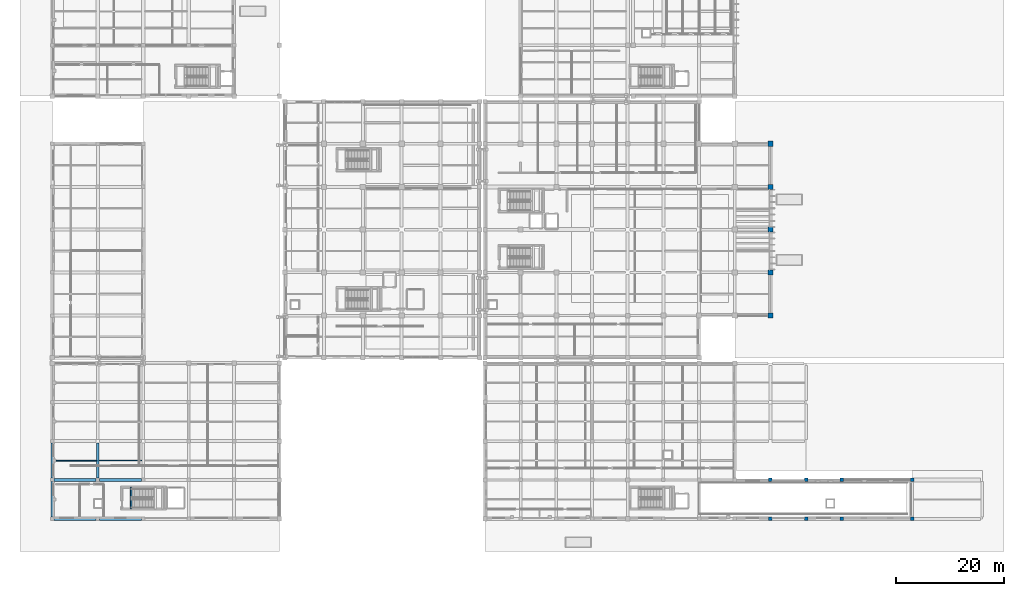
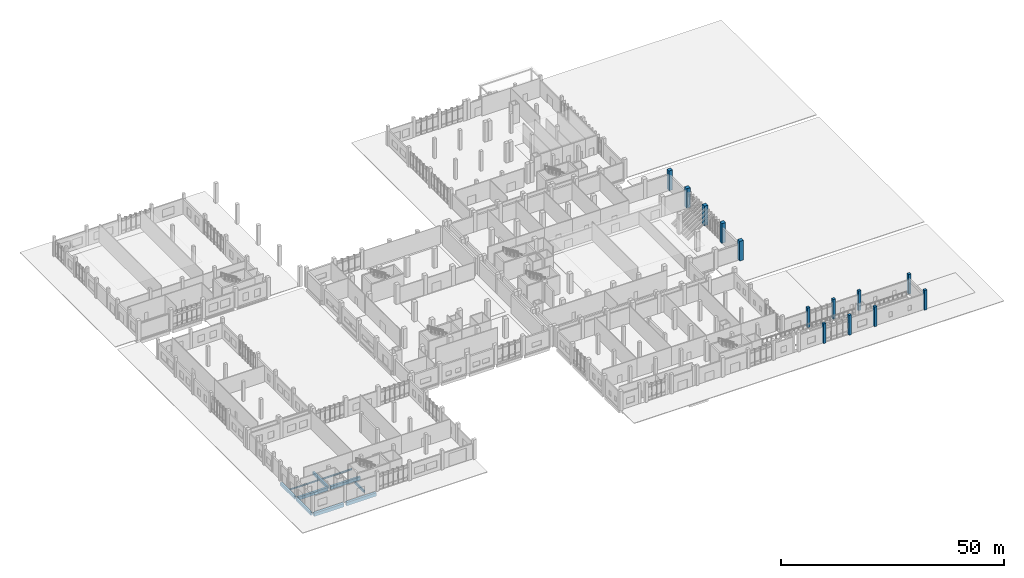
# One storey, part 3 of 79: 13 columns, 10 beams.
"""IFC4 building model written with IfcOpenShell, lengths in metres."""

from ifc_helpers import new_model, si_unit, direction, frame, origin, origin_2d, place, context, subcontext, project, spatial, rectangle, i_section, extrude, material, material_profile, profile_set, type_object, element, save


model = new_model("IFC4")

# Units and contexts
model_context = context("Model", 3, precision=1e-05, world=origin(), true_north=direction((0.0, 1.0)))
body_context = subcontext(model_context, "Body", "Model", "MODEL_VIEW")
ifc_project = project(units=[si_unit("LENGTHUNIT", "METRE"), si_unit("AREAUNIT", "SQUARE_METRE"), si_unit("VOLUMEUNIT", "CUBIC_METRE"), si_unit("PLANEANGLEUNIT", "RADIAN"), si_unit("MASSUNIT", "GRAM", prefix="KILO")], contexts=[model_context])

# Site, building, storey
site_placement = place(None, origin())
site = spatial("IfcSite", under=ifc_project, at=site_placement, CompositionType="ELEMENT")
building_placement = place(site_placement, origin())
building = spatial("IfcBuilding", under=site, at=building_placement, Name="Kelarvand Opera House", CompositionType="ELEMENT")
storey_placement = place(building_placement, origin())
storey = spatial("IfcBuildingStorey", under=building, at=storey_placement, Name="L00", CompositionType="ELEMENT", Elevation=0.0)

# Columns
ifc_material_1 = material(Name="Concrete C40/50", Category="concrete")
ifc_material_profile_1 = material_profile(ifc_material_1, rectangle(XDim=0.64990234375, YDim=0.64990234375, at=origin_2d()), Name="RC 650x650", Category="concrete")
ifc_profile_set_1 = profile_set([ifc_material_profile_1], Name="Concrete C40/50")
column_type_1 = type_object("IfcColumnType", Name="Structural Column RC 650x650 (Ext) COL-650E", PredefinedType="COLUMN", material=ifc_profile_set_1)
for number, where, z_axis, x_axis, name in (
    (1, (141.800048828125, 9.0, 0.0), (0.0, 0.0, 1.0), (1.0, 0.0, 0.0), "V6 Column COL-650E at L00"),
    (2, (148.39990234375, 9.0, 0.0), (0.0, 0.0, 1.0), (1.0, 0.0, 0.0), "V6 Column COL-650E at L00"),
    (3, (155.0, 9.0, 0.0), (0.0, 0.0, 1.0), (1.0, 0.0, 0.0), "V6 Column COL-650E at L00"),
    (4, (168.0, 9.0, 0.0), (0.0, 0.0, 1.0), (1.0, 0.0, 0.0), "V6 Column COL-650E at L00"),
):
    element("IfcColumn", number, at=place(storey_placement, frame(where, z_axis=z_axis, x_axis=x_axis)), inside=storey, type_object=column_type_1, Name=name, PredefinedType="COLUMN", context=body_context, shape_type="SweptSolid", body=[
        extrude(rectangle(XDim=0.64990234375, YDim=0.64990234375, at=origin_2d()), origin(), (0.0, 0.0, 1.0), 5.39990234375),
    ])
ifc_material_profile_2 = material_profile(ifc_material_1, rectangle(XDim=0.64990234375, YDim=0.64990234375, at=origin_2d()), Name="RC 650x650", Category="concrete")
ifc_profile_set_2 = profile_set([ifc_material_profile_2], Name="Concrete C40/50")
column_type_2 = type_object("IfcColumnType", Name="Structural Column RC 650x650 (Int) COL-650", PredefinedType="COLUMN", material=ifc_profile_set_2)
for number, where, z_axis, x_axis, name in (
    (5, (141.800048828125, 16.199951171875, 0.0), (0.0, 0.0, 1.0), (1.0, 0.0, 0.0), "V6 Column COL-650 at L00"),
    (6, (148.39990234375, 16.199951171875, 0.0), (0.0, 0.0, 1.0), (1.0, 0.0, 0.0), "V6 Column COL-650 at L00"),
    (7, (155.0, 16.199951171875, 0.0), (0.0, 0.0, 1.0), (1.0, 0.0, 0.0), "V6 Column COL-650 at L00"),
    (8, (168.0, 16.199951171875, 0.0), (0.0, 0.0, 1.0), (1.0, 0.0, 0.0), "V6 Column COL-650 at L00"),
):
    element("IfcColumn", number, at=place(storey_placement, frame(where, z_axis=z_axis, x_axis=x_axis)), inside=storey, type_object=column_type_2, Name=name, PredefinedType="COLUMN", context=body_context, shape_type="SweptSolid", body=[
        extrude(rectangle(XDim=0.64990234375, YDim=0.64990234375, at=origin_2d()), origin(), (0.0, 0.0, 1.0), 5.39990234375),
    ])
ifc_material_profile_3 = material_profile(ifc_material_1, rectangle(XDim=0.949951171875, YDim=0.949951171875, at=origin_2d()), Name="RC 950x950", Category="concrete")
ifc_profile_set_3 = profile_set([ifc_material_profile_3], Name="Concrete C40/50")
column_type_3 = type_object("IfcColumnType", Name="Structural Column RC 950x950 (Int) COL-950", PredefinedType="COLUMN", material=ifc_profile_set_3)
for number, where, z_axis, x_axis, name in (
    (9, (141.800048828125, 46.60009765625, 0.0), (0.0, 0.0, 1.0), (1.0, 0.0, 0.0), "V1 Column COL-950 at L00"),
    (10, (141.800048828125, 54.60009765625, 0.0), (0.0, 0.0, 1.0), (1.0, 0.0, 0.0), "V1 Column COL-950 at L00"),
    (11, (141.800048828125, 62.5, 0.0), (0.0, 0.0, 1.0), (1.0, 0.0, 0.0), "V1 Column COL-950 at L00"),
    (12, (141.800048828125, 70.39990234375, 0.0), (0.0, 0.0, 1.0), (1.0, 0.0, 0.0), "V1 Column COL-950 at L00"),
    (13, (141.800048828125, 78.39990234375, 0.0), (0.0, 0.0, 1.0), (1.0, 0.0, 0.0), "V1 Column COL-950 at L00"),
):
    element("IfcColumn", number, at=place(storey_placement, frame(where, z_axis=z_axis, x_axis=x_axis)), inside=storey, type_object=column_type_3, Name=name, PredefinedType="COLUMN", context=body_context, shape_type="SweptSolid", body=[
        extrude(rectangle(XDim=0.949951171875, YDim=0.949951171875, at=origin_2d()), origin(), (0.0, 0.0, 1.0), 5.39990234375),
    ])

# Beams
ifc_material_2 = material(Name="Concrete C35/45", Category="concrete")
ifc_material_profile_4 = material_profile(ifc_material_2, rectangle(XDim=0.35009765625, YDim=0.60009765625, at=origin_2d()), Name="RC 350x600", Category="concrete")
ifc_profile_set_4 = profile_set([ifc_material_profile_4], Name="Concrete C35/45")
beam_type_1 = type_object("IfcBeamType", Name="Structural Beam RC 350x600 BM-RC350x600", PredefinedType="BEAM", material=ifc_profile_set_4)
beam_1_placement = place(storey_placement, frame((23.5400390625, 10.85009765625, -0.52001953125), z_axis=(0.0, 1.0, 0.0), x_axis=(-1.0, 0.0, 0.0)))
element("IfcBeam", 14, at=beam_1_placement, inside=storey, type_object=beam_type_1, Name="C6 Stair Landing Support Beam L00", PredefinedType="BEAM", context=body_context, shape_type="SweptSolid", body=[
    extrude(rectangle(XDim=0.35009765625, YDim=0.60009765625, at=origin_2d()), origin(), (0.0, 0.0, 1.0), 4.0),
])
ifc_material_profile_5 = material_profile(ifc_material_1, rectangle(XDim=0.5, YDim=0.75, at=origin_2d()), Name="RC 500x750", Category="concrete")
ifc_profile_set_5 = profile_set([ifc_material_profile_5], Name="Concrete C40/50")
beam_type_2 = type_object("IfcBeamType", Name="Structural Beam RC 500x750 BM-RC500x750", PredefinedType="BEAM", material=ifc_profile_set_5)
beam_2_placement = place(storey_placement, frame((17.39990234375, 16.52490234375, -0.675048828125), z_axis=(0.0, 1.0, 0.0), x_axis=(-1.0, 0.0, 0.0)))
element("IfcBeam", 15, at=beam_2_placement, inside=storey, type_object=beam_type_2, Name="V4 L00 Beam BM-RC500x750", PredefinedType="BEAM", context=body_context, shape_type="SweptSolid", body=[
    extrude(rectangle(XDim=0.5, YDim=0.75, at=origin_2d()), origin(), (0.0, 0.0, 1.0), 6.550048828125),
])
ifc_material_profile_6 = material_profile(ifc_material_1, rectangle(XDim=0.550048828125, YDim=0.85009765625, at=origin_2d()), Name="RC 550x850", Category="concrete")
ifc_profile_set_6 = profile_set([ifc_material_profile_6], Name="Concrete C40/50")
beam_type_3 = type_object("IfcBeamType", Name="Structural Beam RC 550x850 BM-RC550x850", PredefinedType="BEAM", material=ifc_profile_set_6)
for number, where, z_axis, x_axis, name in (
    (16, (9.324951171875, 16.199951171875, -0.72509765625), (1.0, 0.0, 0.0), (0.0, 1.0, 0.0), "V4 L00 Beam BM-RC550x850"),
    (17, (17.72509765625, 16.199951171875, -0.72509765625), (1.0, 0.0, 0.0), (0.0, 1.0, 0.0), "V4 L00 Beam BM-RC550x850"),
):
    element("IfcBeam", number, at=place(storey_placement, frame(where, z_axis=z_axis, x_axis=x_axis)), inside=storey, type_object=beam_type_3, Name=name, PredefinedType="BEAM", context=body_context, shape_type="SweptSolid", body=[
        extrude(rectangle(XDim=0.550048828125, YDim=0.85009765625, at=origin_2d()), origin(), (0.0, 0.0, 1.0), 7.75),
    ])
ifc_material_3 = material(Name="Steel S355", Category="steel")
ifc_material_profile_7 = material_profile(ifc_material_3, i_section(OverallWidth=0.179931640625, OverallDepth=0.39990234375, WebThickness=0.008544921875, FlangeThickness=0.013427734375, at=origin_2d()), Name="IPE 400", Category="steel")
ifc_profile_set_7 = profile_set([ifc_material_profile_7], Name="Steel S355")
beam_type_4 = type_object("IfcBeamType", Name="Structural Joist IPE 400 JS-IPE400", PredefinedType="JOIST", material=ifc_profile_set_7)
beam_3_placement = place(storey_placement, frame((9.25, 19.800048828125, -0.5), z_axis=(1.0, 0.0, 0.0), x_axis=(0.0, 1.0, 0.0)))
element("IfcBeam", 18, at=beam_3_placement, inside=storey, type_object=beam_type_4, Name="V4 L00 Beam JS-IPE400", PredefinedType="JOIST", context=body_context, shape_type="SweptSolid", body=[
    extrude(i_section(OverallWidth=0.179931640625, OverallDepth=0.39990234375, WebThickness=0.008544921875, FlangeThickness=0.013427734375, at=origin_2d()), origin(), (0.0, 0.0, 1.0), 7.89990234375),
])
ifc_material_profile_8 = material_profile(ifc_material_3, i_section(OverallWidth=0.18994140625, OverallDepth=0.449951171875, WebThickness=0.009521484375, FlangeThickness=0.0146484375, at=origin_2d()), Name="IPE 450", Category="steel")
ifc_profile_set_8 = profile_set([ifc_material_profile_8], Name="Steel S355")
beam_type_5 = type_object("IfcBeamType", Name="Structural Joist IPE 450 JS-IPE450", PredefinedType="JOIST", material=ifc_profile_set_8)
beam_4_placement = place(storey_placement, frame((17.64990234375, 19.800048828125, -0.52490234375), z_axis=(1.0, 0.0, 0.0), x_axis=(0.0, 1.0, 0.0)))
element("IfcBeam", 19, at=beam_4_placement, inside=storey, type_object=beam_type_5, Name="V4 L00 Beam JS-IPE450", PredefinedType="JOIST", context=body_context, shape_type="SweptSolid", body=[
    extrude(i_section(OverallWidth=0.18994140625, OverallDepth=0.449951171875, WebThickness=0.009521484375, FlangeThickness=0.0146484375, at=origin_2d()), origin(), (0.0, 0.0, 1.0), 7.900146484375),
])
ifc_material_profile_9 = material_profile(ifc_material_1, rectangle(XDim=0.5, YDim=0.75, at=origin_2d()), Name="RC 500x750", Category="concrete")
ifc_profile_set_9 = profile_set([ifc_material_profile_9], Name="Concrete C40/50")
beam_type_6 = type_object("IfcBeamType", Name="Structural Spandrel RC 500x750 SP-RC500x750E", PredefinedType="SPANDREL", material=ifc_profile_set_9)
for number, where, z_axis, x_axis, name in (
    (20, (9.0, 9.324951171875, -0.675048828125), (0.0, 1.0, 0.0), (-1.0, 0.0, 0.0), "V4 L00 Beam SP-RC500x750E"),
    (21, (9.0, 16.52490234375, -0.675048828125), (0.0, 1.0, 0.0), (-1.0, 0.0, 0.0), "V4 L00 Beam SP-RC500x750E"),
):
    element("IfcBeam", number, at=place(storey_placement, frame(where, z_axis=z_axis, x_axis=x_axis)), inside=storey, type_object=beam_type_6, Name=name, PredefinedType="SPANDREL", context=body_context, shape_type="SweptSolid", body=[
        extrude(rectangle(XDim=0.5, YDim=0.75, at=origin_2d()), origin(), (0.0, 0.0, 1.0), 6.550048828125),
    ])
ifc_material_profile_10 = material_profile(ifc_material_1, rectangle(XDim=0.60009765625, YDim=0.89990234375, at=origin_2d()), Name="RC 600x900", Category="concrete")
ifc_profile_set_10 = profile_set([ifc_material_profile_10], Name="Concrete C40/50")
beam_type_7 = type_object("IfcBeamType", Name="Structural Spandrel RC 600x900 SP-RC600x900E", PredefinedType="SPANDREL", material=ifc_profile_set_10)
for number, where, z_axis, x_axis, name in (
    (22, (9.324951171875, 9.0, -0.75), (1.0, 0.0, 0.0), (0.0, 1.0, 0.0), "V4 L00 Beam SP-RC600x900E"),
    (23, (17.72509765625, 9.0, -0.75), (1.0, 0.0, 0.0), (0.0, 1.0, 0.0), "V4 L00 Beam SP-RC600x900E"),
):
    element("IfcBeam", number, at=place(storey_placement, frame(where, z_axis=z_axis, x_axis=x_axis)), inside=storey, type_object=beam_type_7, Name=name, PredefinedType="SPANDREL", context=body_context, shape_type="SweptSolid", body=[
        extrude(rectangle(XDim=0.60009765625, YDim=0.89990234375, at=origin_2d()), origin(), (0.0, 0.0, 1.0), 7.75),
    ])

save(model, "model.ifc")
